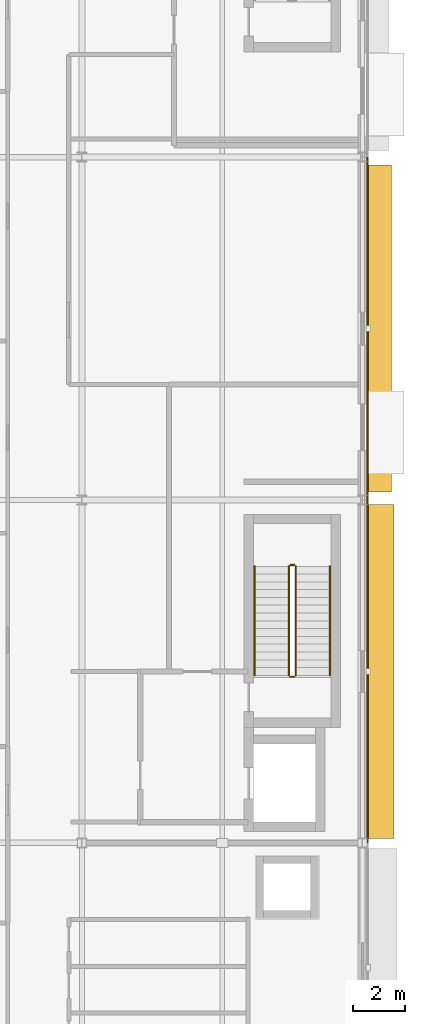
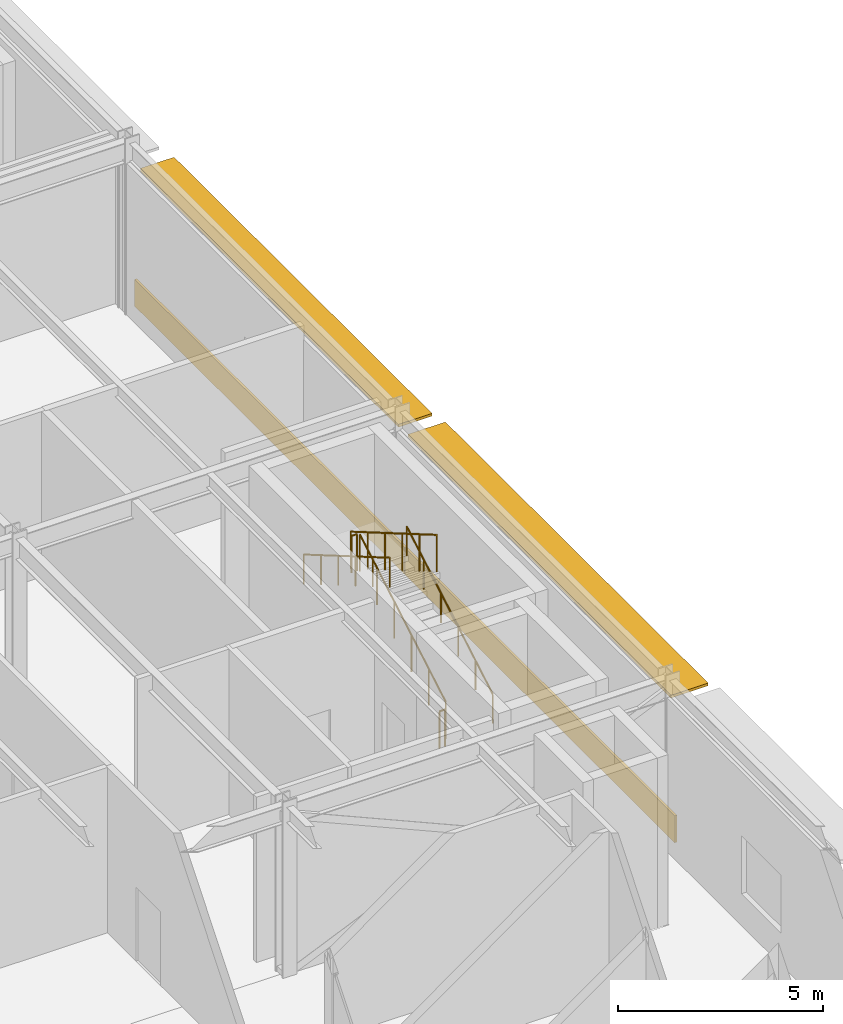
# One storey, part 165 of 168: 6 railings, 2 coverings, 2 shading devices.
"""IFC4 building model written with IfcOpenShell, lengths in metres."""

from ifc_helpers import new_model, si_unit, direction, frame, origin, origin_2d, place, context, subcontext, project, spatial, rectangle, circle, extrude, material, layer, layer_set, type_object, element, save


model = new_model("IFC4")

# Units and contexts
model_context = context("Model", 3, precision=1e-05, world=origin(), true_north=direction((0.0, 1.0)))
body_context = subcontext(model_context, "Body", "Model", "MODEL_VIEW")
ifc_project = project(units=[si_unit("LENGTHUNIT", "METRE"), si_unit("AREAUNIT", "SQUARE_METRE"), si_unit("VOLUMEUNIT", "CUBIC_METRE"), si_unit("PLANEANGLEUNIT", "RADIAN"), si_unit("MASSUNIT", "GRAM", prefix="KILO")], contexts=[model_context])

# Site, building, storey
site_placement = place(None, origin())
site = spatial("IfcSite", under=ifc_project, at=site_placement, CompositionType="ELEMENT")
building_placement = place(site_placement, origin())
building = spatial("IfcBuilding", under=site, at=building_placement, Name="Almandine Court Research Institute", CompositionType="ELEMENT")
storey_placement = place(building_placement, origin())
storey = spatial("IfcBuildingStorey", under=building, at=storey_placement, Name="L00", CompositionType="ELEMENT", Elevation=0.0)

# Coverings
ifc_material_1 = material(Name="Honed Andean Red-Buff Sandstone Cladding", Category="masonry")
ifc_layer_1 = layer(ifc_material_1, 0.06494140625)
ifc_layer_set_1 = layer_set([ifc_layer_1], Name="Honed Andean Red-Buff Sandstone Cladding")
covering_type = type_object("IfcCoveringType", Name="Cov-CLAD-SAND", PredefinedType="CLADDING", material=ifc_layer_set_1)
for number, where, z_axis, x_axis, name in (
    (1, (174.200927734375, 64.199951171875, 0.02001953125), (0.0, 0.0, 1.0), (0.0, -1.0, 0.0), "L00 Facade Spandrel Cladding Band 111"),
    (2, (174.200927734375, 51.0, 0.02001953125), (0.0, 0.0, 1.0), (0.0, -1.0, 0.0), "L00 Facade Spandrel Cladding Band 112"),
):
    element("IfcCovering", number, at=place(storey_placement, frame(where, z_axis=z_axis, x_axis=x_axis)), inside=storey, type_object=covering_type, Name=name, PredefinedType="CLADDING", context=body_context, shape_type="SweptSolid", body=[
        extrude(rectangle(XDim=13.19189453125, YDim=0.06494140625, at=origin_2d()), origin(), (0.0, 0.0, 1.0), 0.800048828125),
    ])

# Railings
ifc_material_2 = material(Name="Powder-Coated Steel Stair and Atrium Balustrade", Category="steel")
railing_type_1 = type_object("IfcRailingType", Name="Rail-GUARD-INT", PredefinedType="BALUSTRADE", material=ifc_material_2)
railing_1_placement = place(storey_placement, frame((171.429931640625, 50.85009765625, 0.175048828125)))
element("IfcRailing", 3, at=railing_1_placement, inside=storey, type_object=railing_type_1, Name="L00 ST-08 stair guard 1", PredefinedType="BALUSTRADE", context=body_context, shape_type="SweptSolid", body=[
    extrude(circle(Radius=0.02392578125, at=origin_2d()), frame((0.0, 0.0, 1.09619140625), z_axis=(0.0, 0.863780722019, 0.50386790359), x_axis=(-1.0, 0.0, 0.0)), (0.0, 0.0, 1.0), 4.8623046875),
    extrude(circle(Radius=0.02099609375, at=origin_2d()), origin(), (0.0, 0.0, 1.0), 1.072021484375),
    extrude(circle(Radius=0.02099609375, at=origin_2d()), frame((0.0, 0.840087890625, 0.489990234375)), (0.0, 0.0, 1.0), 1.072021484375),
    extrude(circle(Radius=0.02099609375, at=origin_2d()), frame((0.0, 1.679931640625, 0.97998046875)), (0.0, 0.0, 1.0), 1.072021484375),
    extrude(circle(Radius=0.02099609375, at=origin_2d()), frame((0.0, 2.52001953125, 1.469970703125)), (0.0, 0.0, 1.0), 1.072021484375),
    extrude(circle(Radius=0.02099609375, at=origin_2d()), frame((0.0, 3.35986328125, 1.9599609375)), (0.0, 0.0, 1.0), 1.072021484375),
    extrude(circle(Radius=0.02099609375, at=origin_2d()), frame((0.0, 4.199951171875, 2.449951171875)), (0.0, 0.0, 1.0), 1.072021484375),
])
railing_2_placement = place(storey_placement, frame((171.3798828125, 55.10009765625, 2.625)))
element("IfcRailing", 4, at=railing_2_placement, inside=storey, type_object=railing_type_1, Name="L00 ST-08 stair guard 2", PredefinedType="BALUSTRADE", context=body_context, shape_type="SweptSolid", body=[
    extrude(circle(Radius=0.02392578125, at=origin_2d()), frame((0.0, 0.0, 1.09619140625), z_axis=(-1.0, 0.0, 0.0), x_axis=(0.0, -1.0, 0.0)), (0.0, 0.0, 1.0), 0.159912109375),
    extrude(circle(Radius=0.02099609375, at=origin_2d()), origin(), (0.0, 0.0, 1.0), 1.072021484375),
    extrude(circle(Radius=0.02099609375, at=origin_2d()), frame((-0.159912109375, 0.0, 0.0)), (0.0, 0.0, 1.0), 1.072021484375),
])
railing_3_placement = place(storey_placement, frame((171.169921875, 55.050048828125, 2.800048828125)))
element("IfcRailing", 5, at=railing_3_placement, inside=storey, type_object=railing_type_1, Name="L00 ST-08 stair guard 3", PredefinedType="BALUSTRADE", context=body_context, shape_type="SweptSolid", body=[
    extrude(circle(Radius=0.02392578125, at=origin_2d()), frame((0.0, 0.0, 1.09619140625), z_axis=(0.0, -0.863780722019, 0.50386790359), x_axis=(1.0, 0.0, 0.0)), (0.0, 0.0, 1.0), 4.8623046875),
    extrude(circle(Radius=0.02099609375, at=origin_2d()), origin(), (0.0, 0.0, 1.0), 1.072021484375),
    extrude(circle(Radius=0.02099609375, at=origin_2d()), frame((0.0, -0.840087890625, 0.489990234375)), (0.0, 0.0, 1.0), 1.072021484375),
    extrude(circle(Radius=0.02099609375, at=origin_2d()), frame((0.0, -1.679931640625, 0.97998046875)), (0.0, 0.0, 1.0), 1.072021484375),
    extrude(circle(Radius=0.02099609375, at=origin_2d()), frame((0.0, -2.52001953125, 1.469970703125)), (0.0, 0.0, 1.0), 1.072021484375),
    extrude(circle(Radius=0.02099609375, at=origin_2d()), frame((0.0, -3.35986328125, 1.9599609375)), (0.0, 0.0, 1.0), 1.072021484375),
    extrude(circle(Radius=0.02099609375, at=origin_2d()), frame((0.0, -4.199951171875, 2.449951171875)), (0.0, 0.0, 1.0), 1.072021484375),
])
railing_4_placement = place(storey_placement, frame((171.3798828125, 50.800048828125, 0.0)))
element("IfcRailing", 6, at=railing_4_placement, inside=storey, type_object=railing_type_1, Name="L00 ST-08 stair guard 4", PredefinedType="BALUSTRADE", context=body_context, shape_type="SweptSolid", body=[
    extrude(circle(Radius=0.02392578125, at=origin_2d()), frame((0.0, 0.0, 1.09619140625), z_axis=(-1.0, 0.0, 0.0), x_axis=(0.0, -1.0, 0.0)), (0.0, 0.0, 1.0), 0.159912109375),
    extrude(circle(Radius=0.02099609375, at=origin_2d()), origin(), (0.0, 0.0, 1.0), 1.072021484375),
    extrude(circle(Radius=0.02099609375, at=origin_2d()), frame((-0.159912109375, 0.0, 0.0)), (0.0, 0.0, 1.0), 1.072021484375),
])
ifc_material_3 = material(Name="Brushed Stainless Steel Wall Handrail", Category="steel")
railing_type_2 = type_object("IfcRailingType", Name="Rail-HAND-INT", PredefinedType="HANDRAIL", material=ifc_material_3)
railing_5_placement = place(storey_placement, frame((172.75, 50.85009765625, 0.175048828125)))
element("IfcRailing", 7, at=railing_5_placement, inside=storey, type_object=railing_type_2, Name="L00 ST-08 stair handrail 1", PredefinedType="HANDRAIL", context=body_context, shape_type="SweptSolid", body=[
    extrude(circle(Radius=0.02392578125, at=origin_2d()), frame((0.0, 0.0, 0.8759765625), z_axis=(0.0, 0.863780722019, 0.50386790359), x_axis=(-1.0, 0.0, 0.0)), (0.0, 0.0, 1.0), 4.8623046875),
    extrude(circle(Radius=0.02099609375, at=origin_2d()), origin(), (0.0, 0.0, 1.0), 0.851806640625),
    extrude(circle(Radius=0.02099609375, at=origin_2d()), frame((0.0, 0.840087890625, 0.489990234375)), (0.0, 0.0, 1.0), 0.851806640625),
    extrude(circle(Radius=0.02099609375, at=origin_2d()), frame((0.0, 1.679931640625, 0.97998046875)), (0.0, 0.0, 1.0), 0.851806640625),
    extrude(circle(Radius=0.02099609375, at=origin_2d()), frame((0.0, 2.52001953125, 1.469970703125)), (0.0, 0.0, 1.0), 0.851806640625),
    extrude(circle(Radius=0.02099609375, at=origin_2d()), frame((0.0, 3.35986328125, 1.9599609375)), (0.0, 0.0, 1.0), 0.851806640625),
    extrude(circle(Radius=0.02099609375, at=origin_2d()), frame((0.0, 4.199951171875, 2.449951171875)), (0.0, 0.0, 1.0), 0.851806640625),
])
railing_6_placement = place(storey_placement, frame((169.85009765625, 55.050048828125, 2.800048828125)))
element("IfcRailing", 8, at=railing_6_placement, inside=storey, type_object=railing_type_2, Name="L00 ST-08 stair handrail 2", PredefinedType="HANDRAIL", context=body_context, shape_type="SweptSolid", body=[
    extrude(circle(Radius=0.02392578125, at=origin_2d()), frame((0.0, 0.0, 0.8759765625), z_axis=(0.0, -0.863780722019, 0.50386790359), x_axis=(1.0, 0.0, 0.0)), (0.0, 0.0, 1.0), 4.8623046875),
    extrude(circle(Radius=0.02099609375, at=origin_2d()), origin(), (0.0, 0.0, 1.0), 0.851806640625),
    extrude(circle(Radius=0.02099609375, at=origin_2d()), frame((0.0, -0.840087890625, 0.489990234375)), (0.0, 0.0, 1.0), 0.851806640625),
    extrude(circle(Radius=0.02099609375, at=origin_2d()), frame((0.0, -1.679931640625, 0.97998046875)), (0.0, 0.0, 1.0), 0.851806640625),
    extrude(circle(Radius=0.02099609375, at=origin_2d()), frame((0.0, -2.52001953125, 1.469970703125)), (0.0, 0.0, 1.0), 0.851806640625),
    extrude(circle(Radius=0.02099609375, at=origin_2d()), frame((0.0, -3.35986328125, 1.9599609375)), (0.0, 0.0, 1.0), 0.851806640625),
    extrude(circle(Radius=0.02099609375, at=origin_2d()), frame((0.0, -4.199951171875, 2.449951171875)), (0.0, 0.0, 1.0), 0.851806640625),
])

# Shading devices
ifc_material_4 = material(Name="Precast GFRC Chhajja Sunshade and Acoustic Louvre", Category="concrete")
ifc_layer_2 = layer(ifc_material_4, 0.080078125)
ifc_layer_set_2 = layer_set([ifc_layer_2], Name="Precast GFRC Chhajja Sunshade and Acoustic Louvre")
shading_device_type_1 = type_object("IfcShadingDeviceType", Name="Shd-SD-43", PredefinedType="AWNING", material=ifc_layer_set_2)
shading_device_1_placement = place(storey_placement, frame((174.635009765625, 64.199951171875, 4.23583984375), z_axis=(0.0, 0.0, 1.0), x_axis=(0.0, -1.0, 0.0)))
element("IfcShadingDevice", 9, at=shading_device_1_placement, inside=storey, type_object=shading_device_type_1, Name="L00 Projecting Chhajja Sunshade 71", PredefinedType="AWNING", context=body_context, shape_type="SweptSolid", body=[
    extrude(rectangle(XDim=12.60205078125, YDim=0.949951171875, at=origin_2d()), origin(), (0.0, 0.0, 1.0), 0.080078125),
])
ifc_layer_3 = layer(ifc_material_4, 0.080078125)
ifc_layer_set_3 = layer_set([ifc_layer_3], Name="Precast GFRC Chhajja Sunshade and Acoustic Louvre")
shading_device_type_2 = type_object("IfcShadingDeviceType", Name="Shd-SD-44", PredefinedType="AWNING", material=ifc_layer_set_3)
shading_device_2_placement = place(storey_placement, frame((174.68505859375, 51.0, 4.23583984375), z_axis=(0.0, 0.0, 1.0), x_axis=(0.0, -1.0, 0.0)))
element("IfcShadingDevice", 10, at=shading_device_2_placement, inside=storey, type_object=shading_device_type_2, Name="L00 Projecting Chhajja Sunshade 72", PredefinedType="AWNING", context=body_context, shape_type="SweptSolid", body=[
    extrude(rectangle(XDim=12.842041015625, YDim=1.050048828125, at=origin_2d()), origin(), (0.0, 0.0, 1.0), 0.080078125),
])

save(model, "model.ifc")
